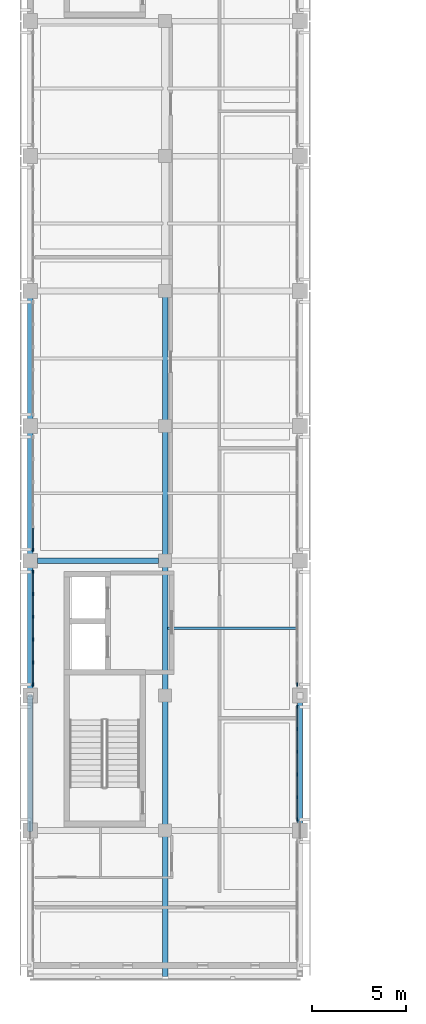
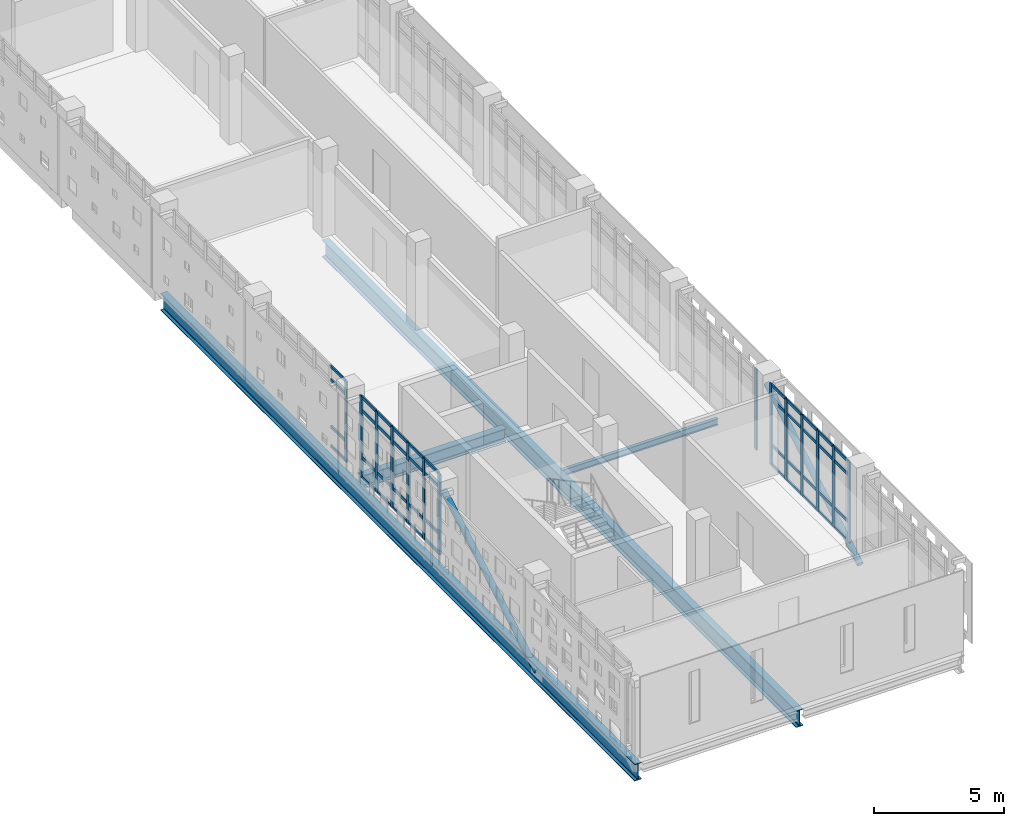
# One storey, part 8 of 33: 60 members, 4 beams, 4 elements without a shape of their own.
"""IFC4 building model written with IfcOpenShell, lengths in metres."""

from ifc_helpers import new_model, si_unit, direction, frame, origin, origin_2d, place, context, subcontext, project, spatial, rectangle, hollow_circle, i_section, extrude, material, layer, layer_set, material_profile, profile_set, type_object, element, aggregate, save


model = new_model("IFC4")

# Units and contexts
model_context = context("Model", 3, precision=1e-05, world=origin(), true_north=direction((0.0, 1.0)))
body_context = subcontext(model_context, "Body", "Model", "MODEL_VIEW")
ifc_project = project(units=[si_unit("LENGTHUNIT", "METRE"), si_unit("AREAUNIT", "SQUARE_METRE"), si_unit("VOLUMEUNIT", "CUBIC_METRE"), si_unit("PLANEANGLEUNIT", "RADIAN"), si_unit("MASSUNIT", "GRAM", prefix="KILO")], contexts=[model_context])

# Site, building, storey
site_placement = place(None, origin())
site = spatial("IfcSite", under=ifc_project, at=site_placement, CompositionType="ELEMENT")
building_placement = place(site_placement, origin())
building = spatial("IfcBuilding", under=site, at=building_placement, Name="Valkovuoma Quantum and Materials Research Institute", CompositionType="ELEMENT")
storey_placement = place(building_placement, frame((0.0, 0.0, 25.60009765625)))
storey = spatial("IfcBuildingStorey", under=building, at=storey_placement, Name="L06", CompositionType="ELEMENT", Elevation=25.60009765625)

# Beams
ifc_material_1 = material(Name="Steel S355J2", Category="steel")
ifc_material_profile_1 = material_profile(ifc_material_1, i_section(OverallWidth=0.300048828125, OverallDepth=0.60009765625, WebThickness=0.015380859375, FlangeThickness=0.030029296875, FilletRadius=0.027099609375, at=origin_2d()), Name="Steel S355J2")
ifc_profile_set_1 = profile_set([ifc_material_profile_1], Name="Steel S355J2")
beam_type_1 = type_object("IfcBeamType", Name="Beam-B-HEB600", PredefinedType="BEAM", material=ifc_profile_set_1)
beam_1_placement = place(storey_placement, frame((0.39990234375, 43.199951171875, -0.650146484375), z_axis=(1.0, 0.0, 0.0), x_axis=(0.0, 1.0, 0.0)))
element("IfcBeam", 1, at=beam_1_placement, inside=storey, type_object=beam_type_1, Name="L06 beam X-2326", PredefinedType="BEAM", context=body_context, shape_type="SweptSolid", body=[
    extrude(i_section(OverallWidth=0.300048828125, OverallDepth=0.60009765625, WebThickness=0.015380859375, FlangeThickness=0.030029296875, FilletRadius=0.027099609375, at=origin_2d()), origin(), (0.0, 0.0, 1.0), 6.4501953125),
])
ifc_material_2 = material(Name="Steel S355J2", Category="steel")
ifc_material_profile_2 = material_profile(ifc_material_2, i_section(OverallWidth=0.300048828125, OverallDepth=0.800048828125, WebThickness=0.017578125, FlangeThickness=0.032958984375, FilletRadius=0.030029296875, at=origin_2d()), Name="Steel S355J2")
ifc_profile_set_2 = profile_set([ifc_material_profile_2], Name="Steel S355J2")
beam_type_2 = type_object("IfcBeamType", Name="Beam-B-HEB800", PredefinedType="BEAM", material=ifc_profile_set_2)
for number, where, z_axis, x_axis, name in (
    (2, (0.0, 21.0, -0.75), (0.0, 1.0, 0.0), (-1.0, 0.0, 0.0), "L06 cantilever girder X0"),
    (3, (7.199951171875, 21.0, -0.75), (0.0, 1.0, 0.0), (-1.0, 0.0, 0.0), "L06 cantilever girder X1"),
):
    element("IfcBeam", number, at=place(storey_placement, frame(where, z_axis=z_axis, x_axis=x_axis)), inside=storey, type_object=beam_type_2, Name=name, PredefinedType="BEAM", context=body_context, shape_type="SweptSolid", body=[
        extrude(i_section(OverallWidth=0.300048828125, OverallDepth=0.800048828125, WebThickness=0.017578125, FlangeThickness=0.032958984375, FilletRadius=0.030029296875, at=origin_2d()), origin(), (0.0, 0.0, 1.0), 36.60009765625),
    ])
ifc_material_3 = material(Name="Steel S355J2", Category="steel")
ifc_material_profile_3 = material_profile(ifc_material_3, i_section(OverallWidth=0.14990234375, OverallDepth=0.300048828125, WebThickness=0.007080078125, FlangeThickness=0.0107421875, FilletRadius=0.014892578125, at=origin_2d()), Name="Steel S355J2")
ifc_profile_set_3 = profile_set([ifc_material_profile_3], Name="Steel S355J2")
beam_type_3 = type_object("IfcBeamType", Name="Beam-B-JST300", PredefinedType="JOIST", material=ifc_profile_set_3)
beam_2_placement = place(storey_placement, frame((7.320068359375, 39.60009765625, -0.5), z_axis=(1.0, 0.0, 0.0), x_axis=(0.0, 1.0, 0.0)))
element("IfcBeam", 4, at=beam_2_placement, inside=storey, type_object=beam_type_3, Name="L06 floor joist 2443", PredefinedType="JOIST", context=body_context, shape_type="SweptSolid", body=[
    extrude(i_section(OverallWidth=0.14990234375, OverallDepth=0.300048828125, WebThickness=0.007080078125, FlangeThickness=0.0107421875, FilletRadius=0.014892578125, at=origin_2d()), origin(), (0.0, 0.0, 1.0), 6.9599609375),
])

# Curtain wall, members
ifc_material_4 = material(Name="Thermally broken aluminium and triple low-E glazing", Category="aluminium")
ifc_layer = layer(ifc_material_4, 0.219970703125)
ifc_layer_set = layer_set([ifc_layer], Name="Thermally broken aluminium and triple low-E glazing")
curtain_wall_type = type_object("IfcCurtainWallType", Name="CW-CW-01", PredefinedType="NOTDEFINED", material=ifc_layer_set)
curtain_wall_1_placement = place(storey_placement, origin())
curtain_wall_1 = element("IfcCurtainWall", 5, at=curtain_wall_1_placement, inside=storey, type_object=curtain_wall_type, Name="L06 curtain wall 075", PredefinedType="NOTDEFINED")
ifc_material_5 = material(Name="Anodised aluminium 6060-T66", Category="aluminium")
ifc_material_profile_4 = material_profile(ifc_material_5, rectangle(XDim=0.06494140625, YDim=0.179931640625, at=origin_2d()), Name="Anodised aluminium 6060-T66")
ifc_profile_set_4 = profile_set([ifc_material_profile_4], Name="Anodised aluminium 6060-T66")
member_type_1 = type_object("IfcMemberType", Name="CWMull-CWM-01", PredefinedType="MULLION", material=ifc_profile_set_4)
member_1_placement = place(storey_placement, frame((14.25, 29.3896484375, 0.0), z_axis=(0.0, 0.0, 1.0), x_axis=(-1.0, 0.0, 0.0)))
member_1 = element("IfcMember", 6, at=member_1_placement, type_object=member_type_1, Name="CW-01 mullion 1", PredefinedType="MULLION", context=body_context, shape_type="SweptSolid", body=[
    extrude(rectangle(XDim=0.06494140625, YDim=0.179931640625, at=origin_2d()), origin(), (0.0, 0.0, 1.0), 3.809814453125),
])
member_2_placement = place(storey_placement, frame((14.25, 30.57421875, 0.0), z_axis=(0.0, 0.0, 1.0), x_axis=(-1.0, 0.0, 0.0)))
member_2 = element("IfcMember", 7, at=member_2_placement, type_object=member_type_1, Name="CW-01 mullion 2", PredefinedType="MULLION", context=body_context, shape_type="SweptSolid", body=[
    extrude(rectangle(XDim=0.06494140625, YDim=0.179931640625, at=origin_2d()), origin(), (0.0, 0.0, 1.0), 3.809814453125),
])
member_3_placement = place(storey_placement, frame((14.25, 31.79150390625, 0.0), z_axis=(0.0, 0.0, 1.0), x_axis=(-1.0, 0.0, 0.0)))
member_3 = element("IfcMember", 8, at=member_3_placement, type_object=member_type_1, Name="CW-01 mullion 3", PredefinedType="MULLION", context=body_context, shape_type="SweptSolid", body=[
    extrude(rectangle(XDim=0.06494140625, YDim=0.179931640625, at=origin_2d()), origin(), (0.0, 0.0, 1.0), 3.809814453125),
])
member_4_placement = place(storey_placement, frame((14.25, 33.008544921875, 0.0), z_axis=(0.0, 0.0, 1.0), x_axis=(-1.0, 0.0, 0.0)))
member_4 = element("IfcMember", 9, at=member_4_placement, type_object=member_type_1, Name="CW-01 mullion 4", PredefinedType="MULLION", context=body_context, shape_type="SweptSolid", body=[
    extrude(rectangle(XDim=0.06494140625, YDim=0.179931640625, at=origin_2d()), origin(), (0.0, 0.0, 1.0), 3.809814453125),
])
member_5_placement = place(storey_placement, frame((14.25, 34.225830078125, 0.0), z_axis=(0.0, 0.0, 1.0), x_axis=(-1.0, 0.0, 0.0)))
member_5 = element("IfcMember", 10, at=member_5_placement, type_object=member_type_1, Name="CW-01 mullion 5", PredefinedType="MULLION", context=body_context, shape_type="SweptSolid", body=[
    extrude(rectangle(XDim=0.06494140625, YDim=0.179931640625, at=origin_2d()), origin(), (0.0, 0.0, 1.0), 3.809814453125),
])
member_6_placement = place(storey_placement, frame((14.25, 35.410400390625, 0.0), z_axis=(0.0, 0.0, 1.0), x_axis=(-1.0, 0.0, 0.0)))
member_6 = element("IfcMember", 11, at=member_6_placement, type_object=member_type_1, Name="CW-01 mullion 6", PredefinedType="MULLION", context=body_context, shape_type="SweptSolid", body=[
    extrude(rectangle(XDim=0.06494140625, YDim=0.179931640625, at=origin_2d()), origin(), (0.0, 0.0, 1.0), 3.809814453125),
])

curtain_wall_2_placement = place(storey_placement, origin())
curtain_wall_2 = element("IfcCurtainWall", 12, at=curtain_wall_2_placement, inside=storey, type_object=curtain_wall_type, Name="L06 curtain wall 076", PredefinedType="NOTDEFINED")
member_7_placement = place(storey_placement, frame((0.14990234375, 36.589599609375, 0.0), z_axis=(0.0, 0.0, 1.0), x_axis=(-1.0, 0.0, 0.0)))
member_7 = element("IfcMember", 13, at=member_7_placement, type_object=member_type_1, Name="CW-01 mullion 1", PredefinedType="MULLION", context=body_context, shape_type="SweptSolid", body=[
    extrude(rectangle(XDim=0.06494140625, YDim=0.179931640625, at=origin_2d()), origin(), (0.0, 0.0, 1.0), 3.809814453125),
])
member_8_placement = place(storey_placement, frame((0.14990234375, 37.774169921875, 0.0), z_axis=(0.0, 0.0, 1.0), x_axis=(-1.0, 0.0, 0.0)))
member_8 = element("IfcMember", 14, at=member_8_placement, type_object=member_type_1, Name="CW-01 mullion 2", PredefinedType="MULLION", context=body_context, shape_type="SweptSolid", body=[
    extrude(rectangle(XDim=0.06494140625, YDim=0.179931640625, at=origin_2d()), origin(), (0.0, 0.0, 1.0), 3.809814453125),
])
member_9_placement = place(storey_placement, frame((0.14990234375, 38.991455078125, 0.0), z_axis=(0.0, 0.0, 1.0), x_axis=(-1.0, 0.0, 0.0)))
member_9 = element("IfcMember", 15, at=member_9_placement, type_object=member_type_1, Name="CW-01 mullion 3", PredefinedType="MULLION", context=body_context, shape_type="SweptSolid", body=[
    extrude(rectangle(XDim=0.06494140625, YDim=0.179931640625, at=origin_2d()), origin(), (0.0, 0.0, 1.0), 3.809814453125),
])
member_10_placement = place(storey_placement, frame((0.14990234375, 40.20849609375, 0.0), z_axis=(0.0, 0.0, 1.0), x_axis=(-1.0, 0.0, 0.0)))
member_10 = element("IfcMember", 16, at=member_10_placement, type_object=member_type_1, Name="CW-01 mullion 4", PredefinedType="MULLION", context=body_context, shape_type="SweptSolid", body=[
    extrude(rectangle(XDim=0.06494140625, YDim=0.179931640625, at=origin_2d()), origin(), (0.0, 0.0, 1.0), 3.809814453125),
])
member_11_placement = place(storey_placement, frame((0.14990234375, 41.42578125, 0.0), z_axis=(0.0, 0.0, 1.0), x_axis=(-1.0, 0.0, 0.0)))
member_11 = element("IfcMember", 17, at=member_11_placement, type_object=member_type_1, Name="CW-01 mullion 5", PredefinedType="MULLION", context=body_context, shape_type="SweptSolid", body=[
    extrude(rectangle(XDim=0.06494140625, YDim=0.179931640625, at=origin_2d()), origin(), (0.0, 0.0, 1.0), 3.809814453125),
])
member_12_placement = place(storey_placement, frame((0.14990234375, 42.6103515625, 0.0), z_axis=(0.0, 0.0, 1.0), x_axis=(-1.0, 0.0, 0.0)))
member_12 = element("IfcMember", 18, at=member_12_placement, type_object=member_type_1, Name="CW-01 mullion 6", PredefinedType="MULLION", context=body_context, shape_type="SweptSolid", body=[
    extrude(rectangle(XDim=0.06494140625, YDim=0.179931640625, at=origin_2d()), origin(), (0.0, 0.0, 1.0), 3.809814453125),
])

# Curtain wall, member
curtain_wall_3_placement = place(storey_placement, origin())
curtain_wall_3 = element("IfcCurtainWall", 19, at=curtain_wall_3_placement, inside=storey, type_object=curtain_wall_type, Name="L06 curtain wall 077", PredefinedType="NOTDEFINED")
member_13_placement = place(storey_placement, frame((14.25, 36.589599609375, 0.0), z_axis=(0.0, 0.0, 1.0), x_axis=(-1.0, 0.0, 0.0)))
member_13 = element("IfcMember", 20, at=member_13_placement, type_object=member_type_1, Name="CW-01 mullion 1", PredefinedType="MULLION", context=body_context, shape_type="SweptSolid", body=[
    extrude(rectangle(XDim=0.06494140625, YDim=0.179931640625, at=origin_2d()), origin(), (0.0, 0.0, 1.0), 3.809814453125),
])
aggregate(curtain_wall_3, [member_13])

curtain_wall_4_placement = place(storey_placement, origin())
curtain_wall_4 = element("IfcCurtainWall", 21, at=curtain_wall_4_placement, inside=storey, type_object=curtain_wall_type, Name="L06 curtain wall 078", PredefinedType="NOTDEFINED")
member_14_placement = place(storey_placement, frame((0.14990234375, 43.78955078125, 0.0), z_axis=(0.0, 0.0, 1.0), x_axis=(-1.0, 0.0, 0.0)))
member_14 = element("IfcMember", 22, at=member_14_placement, type_object=member_type_1, Name="CW-01 mullion 1", PredefinedType="MULLION", context=body_context, shape_type="SweptSolid", body=[
    extrude(rectangle(XDim=0.06494140625, YDim=0.179931640625, at=origin_2d()), origin(), (0.0, 0.0, 1.0), 3.809814453125),
])

# Member
ifc_material_6 = material(Name="Anodised aluminium 6060-T66", Category="aluminium")
ifc_material_profile_5 = material_profile(ifc_material_6, rectangle(XDim=0.06494140625, YDim=0.139892578125, at=origin_2d()), Name="Anodised aluminium 6060-T66")
ifc_profile_set_5 = profile_set([ifc_material_profile_5], Name="Anodised aluminium 6060-T66")
member_type_2 = type_object("IfcMemberType", Name="CWTran-CWT-01", PredefinedType="USERDEFINED", material=ifc_profile_set_5)
member_15_placement = place(storey_placement, frame((14.25, 29.422119140625, 0.032470703125), z_axis=(0.0, 1.0, 0.0), x_axis=(-1.0, 0.0, 0.0)))
member_15 = element("IfcMember", 23, at=member_15_placement, type_object=member_type_2, Name="CW-01 transom 1.1", ObjectType="TRANSOM", PredefinedType="USERDEFINED", context=body_context, shape_type="SweptSolid", body=[
    extrude(rectangle(XDim=0.06494140625, YDim=0.139892578125, at=origin_2d()), origin(), (0.0, 0.0, 1.0), 1.11962890625),
])

member_16_placement = place(storey_placement, frame((14.25, 29.422119140625, 0.949951171875), z_axis=(0.0, 1.0, 0.0), x_axis=(-1.0, 0.0, 0.0)))
member_16 = element("IfcMember", 24, at=member_16_placement, type_object=member_type_2, Name="CW-01 transom 1.2", ObjectType="TRANSOM", PredefinedType="USERDEFINED", context=body_context, shape_type="SweptSolid", body=[
    extrude(rectangle(XDim=0.06494140625, YDim=0.139892578125, at=origin_2d()), origin(), (0.0, 0.0, 1.0), 1.11962890625),
])

member_17_placement = place(storey_placement, frame((14.25, 29.422119140625, 3.159912109375), z_axis=(0.0, 1.0, 0.0), x_axis=(-1.0, 0.0, 0.0)))
member_17 = element("IfcMember", 25, at=member_17_placement, type_object=member_type_2, Name="CW-01 transom 1.3", ObjectType="TRANSOM", PredefinedType="USERDEFINED", context=body_context, shape_type="SweptSolid", body=[
    extrude(rectangle(XDim=0.06494140625, YDim=0.139892578125, at=origin_2d()), origin(), (0.0, 0.0, 1.0), 1.11962890625),
])

member_18_placement = place(storey_placement, frame((14.25, 29.422119140625, 3.77734375), z_axis=(0.0, 1.0, 0.0), x_axis=(-1.0, 0.0, 0.0)))
member_18 = element("IfcMember", 26, at=member_18_placement, type_object=member_type_2, Name="CW-01 transom 1.4", ObjectType="TRANSOM", PredefinedType="USERDEFINED", context=body_context, shape_type="SweptSolid", body=[
    extrude(rectangle(XDim=0.06494140625, YDim=0.139892578125, at=origin_2d()), origin(), (0.0, 0.0, 1.0), 1.11962890625),
])

member_19_placement = place(storey_placement, frame((14.25, 30.606689453125, 0.032470703125), z_axis=(0.0, 1.0, 0.0), x_axis=(-1.0, 0.0, 0.0)))
member_19 = element("IfcMember", 27, at=member_19_placement, type_object=member_type_2, Name="CW-01 transom 2.1", ObjectType="TRANSOM", PredefinedType="USERDEFINED", context=body_context, shape_type="SweptSolid", body=[
    extrude(rectangle(XDim=0.06494140625, YDim=0.139892578125, at=origin_2d()), origin(), (0.0, 0.0, 1.0), 1.15234375),
])

member_20_placement = place(storey_placement, frame((14.25, 30.606689453125, 0.949951171875), z_axis=(0.0, 1.0, 0.0), x_axis=(-1.0, 0.0, 0.0)))
member_20 = element("IfcMember", 28, at=member_20_placement, type_object=member_type_2, Name="CW-01 transom 2.2", ObjectType="TRANSOM", PredefinedType="USERDEFINED", context=body_context, shape_type="SweptSolid", body=[
    extrude(rectangle(XDim=0.06494140625, YDim=0.139892578125, at=origin_2d()), origin(), (0.0, 0.0, 1.0), 1.15234375),
])

member_21_placement = place(storey_placement, frame((14.25, 30.606689453125, 3.159912109375), z_axis=(0.0, 1.0, 0.0), x_axis=(-1.0, 0.0, 0.0)))
member_21 = element("IfcMember", 29, at=member_21_placement, type_object=member_type_2, Name="CW-01 transom 2.3", ObjectType="TRANSOM", PredefinedType="USERDEFINED", context=body_context, shape_type="SweptSolid", body=[
    extrude(rectangle(XDim=0.06494140625, YDim=0.139892578125, at=origin_2d()), origin(), (0.0, 0.0, 1.0), 1.15234375),
])

member_22_placement = place(storey_placement, frame((14.25, 30.606689453125, 3.77734375), z_axis=(0.0, 1.0, 0.0), x_axis=(-1.0, 0.0, 0.0)))
member_22 = element("IfcMember", 30, at=member_22_placement, type_object=member_type_2, Name="CW-01 transom 2.4", ObjectType="TRANSOM", PredefinedType="USERDEFINED", context=body_context, shape_type="SweptSolid", body=[
    extrude(rectangle(XDim=0.06494140625, YDim=0.139892578125, at=origin_2d()), origin(), (0.0, 0.0, 1.0), 1.15234375),
])

member_23_placement = place(storey_placement, frame((14.25, 31.823974609375, 0.032470703125), z_axis=(0.0, 1.0, 0.0), x_axis=(-1.0, 0.0, 0.0)))
member_23 = element("IfcMember", 31, at=member_23_placement, type_object=member_type_2, Name="CW-01 transom 3.1", ObjectType="TRANSOM", PredefinedType="USERDEFINED", context=body_context, shape_type="SweptSolid", body=[
    extrude(rectangle(XDim=0.06494140625, YDim=0.139892578125, at=origin_2d()), origin(), (0.0, 0.0, 1.0), 1.152099609375),
])

member_24_placement = place(storey_placement, frame((14.25, 31.823974609375, 0.949951171875), z_axis=(0.0, 1.0, 0.0), x_axis=(-1.0, 0.0, 0.0)))
member_24 = element("IfcMember", 32, at=member_24_placement, type_object=member_type_2, Name="CW-01 transom 3.2", ObjectType="TRANSOM", PredefinedType="USERDEFINED", context=body_context, shape_type="SweptSolid", body=[
    extrude(rectangle(XDim=0.06494140625, YDim=0.139892578125, at=origin_2d()), origin(), (0.0, 0.0, 1.0), 1.152099609375),
])

member_25_placement = place(storey_placement, frame((14.25, 31.823974609375, 3.159912109375), z_axis=(0.0, 1.0, 0.0), x_axis=(-1.0, 0.0, 0.0)))
member_25 = element("IfcMember", 33, at=member_25_placement, type_object=member_type_2, Name="CW-01 transom 3.3", ObjectType="TRANSOM", PredefinedType="USERDEFINED", context=body_context, shape_type="SweptSolid", body=[
    extrude(rectangle(XDim=0.06494140625, YDim=0.139892578125, at=origin_2d()), origin(), (0.0, 0.0, 1.0), 1.152099609375),
])

member_26_placement = place(storey_placement, frame((14.25, 31.823974609375, 3.77734375), z_axis=(0.0, 1.0, 0.0), x_axis=(-1.0, 0.0, 0.0)))
member_26 = element("IfcMember", 34, at=member_26_placement, type_object=member_type_2, Name="CW-01 transom 3.4", ObjectType="TRANSOM", PredefinedType="USERDEFINED", context=body_context, shape_type="SweptSolid", body=[
    extrude(rectangle(XDim=0.06494140625, YDim=0.139892578125, at=origin_2d()), origin(), (0.0, 0.0, 1.0), 1.152099609375),
])

member_27_placement = place(storey_placement, frame((14.25, 33.041015625, 0.032470703125), z_axis=(0.0, 1.0, 0.0), x_axis=(-1.0, 0.0, 0.0)))
member_27 = element("IfcMember", 35, at=member_27_placement, type_object=member_type_2, Name="CW-01 transom 4.1", ObjectType="TRANSOM", PredefinedType="USERDEFINED", context=body_context, shape_type="SweptSolid", body=[
    extrude(rectangle(XDim=0.06494140625, YDim=0.139892578125, at=origin_2d()), origin(), (0.0, 0.0, 1.0), 1.15234375),
])

member_28_placement = place(storey_placement, frame((14.25, 33.041015625, 0.949951171875), z_axis=(0.0, 1.0, 0.0), x_axis=(-1.0, 0.0, 0.0)))
member_28 = element("IfcMember", 36, at=member_28_placement, type_object=member_type_2, Name="CW-01 transom 4.2", ObjectType="TRANSOM", PredefinedType="USERDEFINED", context=body_context, shape_type="SweptSolid", body=[
    extrude(rectangle(XDim=0.06494140625, YDim=0.139892578125, at=origin_2d()), origin(), (0.0, 0.0, 1.0), 1.15234375),
])

member_29_placement = place(storey_placement, frame((14.25, 33.041015625, 3.159912109375), z_axis=(0.0, 1.0, 0.0), x_axis=(-1.0, 0.0, 0.0)))
member_29 = element("IfcMember", 37, at=member_29_placement, type_object=member_type_2, Name="CW-01 transom 4.3", ObjectType="TRANSOM", PredefinedType="USERDEFINED", context=body_context, shape_type="SweptSolid", body=[
    extrude(rectangle(XDim=0.06494140625, YDim=0.139892578125, at=origin_2d()), origin(), (0.0, 0.0, 1.0), 1.15234375),
])

member_30_placement = place(storey_placement, frame((14.25, 33.041015625, 3.77734375), z_axis=(0.0, 1.0, 0.0), x_axis=(-1.0, 0.0, 0.0)))
member_30 = element("IfcMember", 38, at=member_30_placement, type_object=member_type_2, Name="CW-01 transom 4.4", ObjectType="TRANSOM", PredefinedType="USERDEFINED", context=body_context, shape_type="SweptSolid", body=[
    extrude(rectangle(XDim=0.06494140625, YDim=0.139892578125, at=origin_2d()), origin(), (0.0, 0.0, 1.0), 1.15234375),
])

member_31_placement = place(storey_placement, frame((14.25, 34.25830078125, 0.032470703125), z_axis=(0.0, 1.0, 0.0), x_axis=(-1.0, 0.0, 0.0)))
member_31 = element("IfcMember", 39, at=member_31_placement, type_object=member_type_2, Name="CW-01 transom 5.1", ObjectType="TRANSOM", PredefinedType="USERDEFINED", context=body_context, shape_type="SweptSolid", body=[
    extrude(rectangle(XDim=0.06494140625, YDim=0.139892578125, at=origin_2d()), origin(), (0.0, 0.0, 1.0), 1.11962890625),
])

member_32_placement = place(storey_placement, frame((14.25, 34.25830078125, 0.949951171875), z_axis=(0.0, 1.0, 0.0), x_axis=(-1.0, 0.0, 0.0)))
member_32 = element("IfcMember", 40, at=member_32_placement, type_object=member_type_2, Name="CW-01 transom 5.2", ObjectType="TRANSOM", PredefinedType="USERDEFINED", context=body_context, shape_type="SweptSolid", body=[
    extrude(rectangle(XDim=0.06494140625, YDim=0.139892578125, at=origin_2d()), origin(), (0.0, 0.0, 1.0), 1.11962890625),
])

member_33_placement = place(storey_placement, frame((14.25, 34.25830078125, 3.159912109375), z_axis=(0.0, 1.0, 0.0), x_axis=(-1.0, 0.0, 0.0)))
member_33 = element("IfcMember", 41, at=member_33_placement, type_object=member_type_2, Name="CW-01 transom 5.3", ObjectType="TRANSOM", PredefinedType="USERDEFINED", context=body_context, shape_type="SweptSolid", body=[
    extrude(rectangle(XDim=0.06494140625, YDim=0.139892578125, at=origin_2d()), origin(), (0.0, 0.0, 1.0), 1.11962890625),
])

member_34_placement = place(storey_placement, frame((14.25, 34.25830078125, 3.77734375), z_axis=(0.0, 1.0, 0.0), x_axis=(-1.0, 0.0, 0.0)))
member_34 = element("IfcMember", 42, at=member_34_placement, type_object=member_type_2, Name="CW-01 transom 5.4", ObjectType="TRANSOM", PredefinedType="USERDEFINED", context=body_context, shape_type="SweptSolid", body=[
    extrude(rectangle(XDim=0.06494140625, YDim=0.139892578125, at=origin_2d()), origin(), (0.0, 0.0, 1.0), 1.11962890625),
])

aggregate(curtain_wall_1, [member_1, member_2, member_3, member_4, member_5, member_6, member_15, member_16, member_17, member_18, member_19, member_20, member_21, member_22, member_23, member_24, member_25, member_26, member_27, member_28, member_29, member_30, member_31, member_32, member_33, member_34])

member_35_placement = place(storey_placement, frame((0.14990234375, 36.6220703125, 0.032470703125), z_axis=(0.0, 1.0, 0.0), x_axis=(-1.0, 0.0, 0.0)))
member_35 = element("IfcMember", 43, at=member_35_placement, type_object=member_type_2, Name="CW-01 transom 1.1", ObjectType="TRANSOM", PredefinedType="USERDEFINED", context=body_context, shape_type="SweptSolid", body=[
    extrude(rectangle(XDim=0.06494140625, YDim=0.139892578125, at=origin_2d()), origin(), (0.0, 0.0, 1.0), 1.11962890625),
])

member_36_placement = place(storey_placement, frame((0.14990234375, 36.6220703125, 0.949951171875), z_axis=(0.0, 1.0, 0.0), x_axis=(-1.0, 0.0, 0.0)))
member_36 = element("IfcMember", 44, at=member_36_placement, type_object=member_type_2, Name="CW-01 transom 1.2", ObjectType="TRANSOM", PredefinedType="USERDEFINED", context=body_context, shape_type="SweptSolid", body=[
    extrude(rectangle(XDim=0.06494140625, YDim=0.139892578125, at=origin_2d()), origin(), (0.0, 0.0, 1.0), 1.11962890625),
])

member_37_placement = place(storey_placement, frame((0.14990234375, 36.6220703125, 3.159912109375), z_axis=(0.0, 1.0, 0.0), x_axis=(-1.0, 0.0, 0.0)))
member_37 = element("IfcMember", 45, at=member_37_placement, type_object=member_type_2, Name="CW-01 transom 1.3", ObjectType="TRANSOM", PredefinedType="USERDEFINED", context=body_context, shape_type="SweptSolid", body=[
    extrude(rectangle(XDim=0.06494140625, YDim=0.139892578125, at=origin_2d()), origin(), (0.0, 0.0, 1.0), 1.11962890625),
])

member_38_placement = place(storey_placement, frame((0.14990234375, 36.6220703125, 3.77734375), z_axis=(0.0, 1.0, 0.0), x_axis=(-1.0, 0.0, 0.0)))
member_38 = element("IfcMember", 46, at=member_38_placement, type_object=member_type_2, Name="CW-01 transom 1.4", ObjectType="TRANSOM", PredefinedType="USERDEFINED", context=body_context, shape_type="SweptSolid", body=[
    extrude(rectangle(XDim=0.06494140625, YDim=0.139892578125, at=origin_2d()), origin(), (0.0, 0.0, 1.0), 1.11962890625),
])

member_39_placement = place(storey_placement, frame((0.14990234375, 37.806640625, 0.032470703125), z_axis=(0.0, 1.0, 0.0), x_axis=(-1.0, 0.0, 0.0)))
member_39 = element("IfcMember", 47, at=member_39_placement, type_object=member_type_2, Name="CW-01 transom 2.1", ObjectType="TRANSOM", PredefinedType="USERDEFINED", context=body_context, shape_type="SweptSolid", body=[
    extrude(rectangle(XDim=0.06494140625, YDim=0.139892578125, at=origin_2d()), origin(), (0.0, 0.0, 1.0), 1.15234375),
])

member_40_placement = place(storey_placement, frame((0.14990234375, 37.806640625, 0.949951171875), z_axis=(0.0, 1.0, 0.0), x_axis=(-1.0, 0.0, 0.0)))
member_40 = element("IfcMember", 48, at=member_40_placement, type_object=member_type_2, Name="CW-01 transom 2.2", ObjectType="TRANSOM", PredefinedType="USERDEFINED", context=body_context, shape_type="SweptSolid", body=[
    extrude(rectangle(XDim=0.06494140625, YDim=0.139892578125, at=origin_2d()), origin(), (0.0, 0.0, 1.0), 1.15234375),
])

member_41_placement = place(storey_placement, frame((0.14990234375, 37.806640625, 3.159912109375), z_axis=(0.0, 1.0, 0.0), x_axis=(-1.0, 0.0, 0.0)))
member_41 = element("IfcMember", 49, at=member_41_placement, type_object=member_type_2, Name="CW-01 transom 2.3", ObjectType="TRANSOM", PredefinedType="USERDEFINED", context=body_context, shape_type="SweptSolid", body=[
    extrude(rectangle(XDim=0.06494140625, YDim=0.139892578125, at=origin_2d()), origin(), (0.0, 0.0, 1.0), 1.15234375),
])

member_42_placement = place(storey_placement, frame((0.14990234375, 37.806640625, 3.77734375), z_axis=(0.0, 1.0, 0.0), x_axis=(-1.0, 0.0, 0.0)))
member_42 = element("IfcMember", 50, at=member_42_placement, type_object=member_type_2, Name="CW-01 transom 2.4", ObjectType="TRANSOM", PredefinedType="USERDEFINED", context=body_context, shape_type="SweptSolid", body=[
    extrude(rectangle(XDim=0.06494140625, YDim=0.139892578125, at=origin_2d()), origin(), (0.0, 0.0, 1.0), 1.15234375),
])

member_43_placement = place(storey_placement, frame((0.14990234375, 39.02392578125, 0.032470703125), z_axis=(0.0, 1.0, 0.0), x_axis=(-1.0, 0.0, 0.0)))
member_43 = element("IfcMember", 51, at=member_43_placement, type_object=member_type_2, Name="CW-01 transom 3.1", ObjectType="TRANSOM", PredefinedType="USERDEFINED", context=body_context, shape_type="SweptSolid", body=[
    extrude(rectangle(XDim=0.06494140625, YDim=0.139892578125, at=origin_2d()), origin(), (0.0, 0.0, 1.0), 1.152099609375),
])

member_44_placement = place(storey_placement, frame((0.14990234375, 39.02392578125, 0.949951171875), z_axis=(0.0, 1.0, 0.0), x_axis=(-1.0, 0.0, 0.0)))
member_44 = element("IfcMember", 52, at=member_44_placement, type_object=member_type_2, Name="CW-01 transom 3.2", ObjectType="TRANSOM", PredefinedType="USERDEFINED", context=body_context, shape_type="SweptSolid", body=[
    extrude(rectangle(XDim=0.06494140625, YDim=0.139892578125, at=origin_2d()), origin(), (0.0, 0.0, 1.0), 1.152099609375),
])

member_45_placement = place(storey_placement, frame((0.14990234375, 39.02392578125, 3.159912109375), z_axis=(0.0, 1.0, 0.0), x_axis=(-1.0, 0.0, 0.0)))
member_45 = element("IfcMember", 53, at=member_45_placement, type_object=member_type_2, Name="CW-01 transom 3.3", ObjectType="TRANSOM", PredefinedType="USERDEFINED", context=body_context, shape_type="SweptSolid", body=[
    extrude(rectangle(XDim=0.06494140625, YDim=0.139892578125, at=origin_2d()), origin(), (0.0, 0.0, 1.0), 1.152099609375),
])

member_46_placement = place(storey_placement, frame((0.14990234375, 39.02392578125, 3.77734375), z_axis=(0.0, 1.0, 0.0), x_axis=(-1.0, 0.0, 0.0)))
member_46 = element("IfcMember", 54, at=member_46_placement, type_object=member_type_2, Name="CW-01 transom 3.4", ObjectType="TRANSOM", PredefinedType="USERDEFINED", context=body_context, shape_type="SweptSolid", body=[
    extrude(rectangle(XDim=0.06494140625, YDim=0.139892578125, at=origin_2d()), origin(), (0.0, 0.0, 1.0), 1.152099609375),
])

member_47_placement = place(storey_placement, frame((0.14990234375, 40.240966796875, 0.032470703125), z_axis=(0.0, 1.0, 0.0), x_axis=(-1.0, 0.0, 0.0)))
member_47 = element("IfcMember", 55, at=member_47_placement, type_object=member_type_2, Name="CW-01 transom 4.1", ObjectType="TRANSOM", PredefinedType="USERDEFINED", context=body_context, shape_type="SweptSolid", body=[
    extrude(rectangle(XDim=0.06494140625, YDim=0.139892578125, at=origin_2d()), origin(), (0.0, 0.0, 1.0), 1.15234375),
])

member_48_placement = place(storey_placement, frame((0.14990234375, 40.240966796875, 0.949951171875), z_axis=(0.0, 1.0, 0.0), x_axis=(-1.0, 0.0, 0.0)))
member_48 = element("IfcMember", 56, at=member_48_placement, type_object=member_type_2, Name="CW-01 transom 4.2", ObjectType="TRANSOM", PredefinedType="USERDEFINED", context=body_context, shape_type="SweptSolid", body=[
    extrude(rectangle(XDim=0.06494140625, YDim=0.139892578125, at=origin_2d()), origin(), (0.0, 0.0, 1.0), 1.15234375),
])

member_49_placement = place(storey_placement, frame((0.14990234375, 40.240966796875, 3.159912109375), z_axis=(0.0, 1.0, 0.0), x_axis=(-1.0, 0.0, 0.0)))
member_49 = element("IfcMember", 57, at=member_49_placement, type_object=member_type_2, Name="CW-01 transom 4.3", ObjectType="TRANSOM", PredefinedType="USERDEFINED", context=body_context, shape_type="SweptSolid", body=[
    extrude(rectangle(XDim=0.06494140625, YDim=0.139892578125, at=origin_2d()), origin(), (0.0, 0.0, 1.0), 1.15234375),
])

member_50_placement = place(storey_placement, frame((0.14990234375, 40.240966796875, 3.77734375), z_axis=(0.0, 1.0, 0.0), x_axis=(-1.0, 0.0, 0.0)))
member_50 = element("IfcMember", 58, at=member_50_placement, type_object=member_type_2, Name="CW-01 transom 4.4", ObjectType="TRANSOM", PredefinedType="USERDEFINED", context=body_context, shape_type="SweptSolid", body=[
    extrude(rectangle(XDim=0.06494140625, YDim=0.139892578125, at=origin_2d()), origin(), (0.0, 0.0, 1.0), 1.15234375),
])

member_51_placement = place(storey_placement, frame((0.14990234375, 41.458251953125, 0.032470703125), z_axis=(0.0, 1.0, 0.0), x_axis=(-1.0, 0.0, 0.0)))
member_51 = element("IfcMember", 59, at=member_51_placement, type_object=member_type_2, Name="CW-01 transom 5.1", ObjectType="TRANSOM", PredefinedType="USERDEFINED", context=body_context, shape_type="SweptSolid", body=[
    extrude(rectangle(XDim=0.06494140625, YDim=0.139892578125, at=origin_2d()), origin(), (0.0, 0.0, 1.0), 1.11962890625),
])

member_52_placement = place(storey_placement, frame((0.14990234375, 41.458251953125, 0.949951171875), z_axis=(0.0, 1.0, 0.0), x_axis=(-1.0, 0.0, 0.0)))
member_52 = element("IfcMember", 60, at=member_52_placement, type_object=member_type_2, Name="CW-01 transom 5.2", ObjectType="TRANSOM", PredefinedType="USERDEFINED", context=body_context, shape_type="SweptSolid", body=[
    extrude(rectangle(XDim=0.06494140625, YDim=0.139892578125, at=origin_2d()), origin(), (0.0, 0.0, 1.0), 1.11962890625),
])

member_53_placement = place(storey_placement, frame((0.14990234375, 41.458251953125, 3.159912109375), z_axis=(0.0, 1.0, 0.0), x_axis=(-1.0, 0.0, 0.0)))
member_53 = element("IfcMember", 61, at=member_53_placement, type_object=member_type_2, Name="CW-01 transom 5.3", ObjectType="TRANSOM", PredefinedType="USERDEFINED", context=body_context, shape_type="SweptSolid", body=[
    extrude(rectangle(XDim=0.06494140625, YDim=0.139892578125, at=origin_2d()), origin(), (0.0, 0.0, 1.0), 1.11962890625),
])

member_54_placement = place(storey_placement, frame((0.14990234375, 41.458251953125, 3.77734375), z_axis=(0.0, 1.0, 0.0), x_axis=(-1.0, 0.0, 0.0)))
member_54 = element("IfcMember", 62, at=member_54_placement, type_object=member_type_2, Name="CW-01 transom 5.4", ObjectType="TRANSOM", PredefinedType="USERDEFINED", context=body_context, shape_type="SweptSolid", body=[
    extrude(rectangle(XDim=0.06494140625, YDim=0.139892578125, at=origin_2d()), origin(), (0.0, 0.0, 1.0), 1.11962890625),
])

aggregate(curtain_wall_2, [member_7, member_8, member_9, member_10, member_11, member_12, member_35, member_36, member_37, member_38, member_39, member_40, member_41, member_42, member_43, member_44, member_45, member_46, member_47, member_48, member_49, member_50, member_51, member_52, member_53, member_54])

member_55_placement = place(storey_placement, frame((0.14990234375, 43.822021484375, 0.032470703125), z_axis=(0.0, 1.0, 0.0), x_axis=(-1.0, 0.0, 0.0)))
member_55 = element("IfcMember", 63, at=member_55_placement, type_object=member_type_2, Name="CW-01 transom 1.1", ObjectType="TRANSOM", PredefinedType="USERDEFINED", context=body_context, shape_type="SweptSolid", body=[
    extrude(rectangle(XDim=0.06494140625, YDim=0.139892578125, at=origin_2d()), origin(), (0.0, 0.0, 1.0), 1.11962890625),
])

member_56_placement = place(storey_placement, frame((0.14990234375, 43.822021484375, 0.949951171875), z_axis=(0.0, 1.0, 0.0), x_axis=(-1.0, 0.0, 0.0)))
member_56 = element("IfcMember", 64, at=member_56_placement, type_object=member_type_2, Name="CW-01 transom 1.2", ObjectType="TRANSOM", PredefinedType="USERDEFINED", context=body_context, shape_type="SweptSolid", body=[
    extrude(rectangle(XDim=0.06494140625, YDim=0.139892578125, at=origin_2d()), origin(), (0.0, 0.0, 1.0), 1.11962890625),
])

member_57_placement = place(storey_placement, frame((0.14990234375, 43.822021484375, 3.159912109375), z_axis=(0.0, 1.0, 0.0), x_axis=(-1.0, 0.0, 0.0)))
member_57 = element("IfcMember", 65, at=member_57_placement, type_object=member_type_2, Name="CW-01 transom 1.3", ObjectType="TRANSOM", PredefinedType="USERDEFINED", context=body_context, shape_type="SweptSolid", body=[
    extrude(rectangle(XDim=0.06494140625, YDim=0.139892578125, at=origin_2d()), origin(), (0.0, 0.0, 1.0), 1.11962890625),
])

member_58_placement = place(storey_placement, frame((0.14990234375, 43.822021484375, 3.77734375), z_axis=(0.0, 1.0, 0.0), x_axis=(-1.0, 0.0, 0.0)))
member_58 = element("IfcMember", 66, at=member_58_placement, type_object=member_type_2, Name="CW-01 transom 1.4", ObjectType="TRANSOM", PredefinedType="USERDEFINED", context=body_context, shape_type="SweptSolid", body=[
    extrude(rectangle(XDim=0.06494140625, YDim=0.139892578125, at=origin_2d()), origin(), (0.0, 0.0, 1.0), 1.11962890625),
])

aggregate(curtain_wall_4, [member_14, member_55, member_56, member_57, member_58])

# Members
ifc_material_7 = material(Name="Steel S355J2H", Category="steel")
ifc_material_profile_6 = material_profile(ifc_material_7, hollow_circle(Radius=0.136474609375, WallThickness=0.012451171875, at=origin_2d()), Name="Steel S355J2H")
ifc_profile_set_6 = profile_set([ifc_material_profile_6], Name="Steel S355J2H")
member_type_3 = type_object("IfcMemberType", Name="Mem-M-BRC273", PredefinedType="BRACE", material=ifc_profile_set_6)
for number, where, z_axis, x_axis, name in (
    (67, (0.0, 28.800048828125, -0.75), (0.0, 0.865868182106, 0.500272217114), (-1.0, 0.0, 0.0), "L06 cantilever back-span brace 0"),
    (68, (14.39990234375, 28.800048828125, -0.75), (0.0, 0.865868182106, 0.500272217114), (-1.0, 0.0, 0.0), "L06 cantilever back-span brace 1"),
):
    element("IfcMember", number, at=place(storey_placement, frame(where, z_axis=z_axis, x_axis=x_axis)), inside=storey, type_object=member_type_3, Name=name, PredefinedType="BRACE", context=body_context, shape_type="SweptSolid", body=[
        extrude(hollow_circle(Radius=0.136474609375, WallThickness=0.012451171875, at=origin_2d()), origin(), (0.0, 0.0, 1.0), 8.315185546875),
    ])

save(model, "model.ifc")
